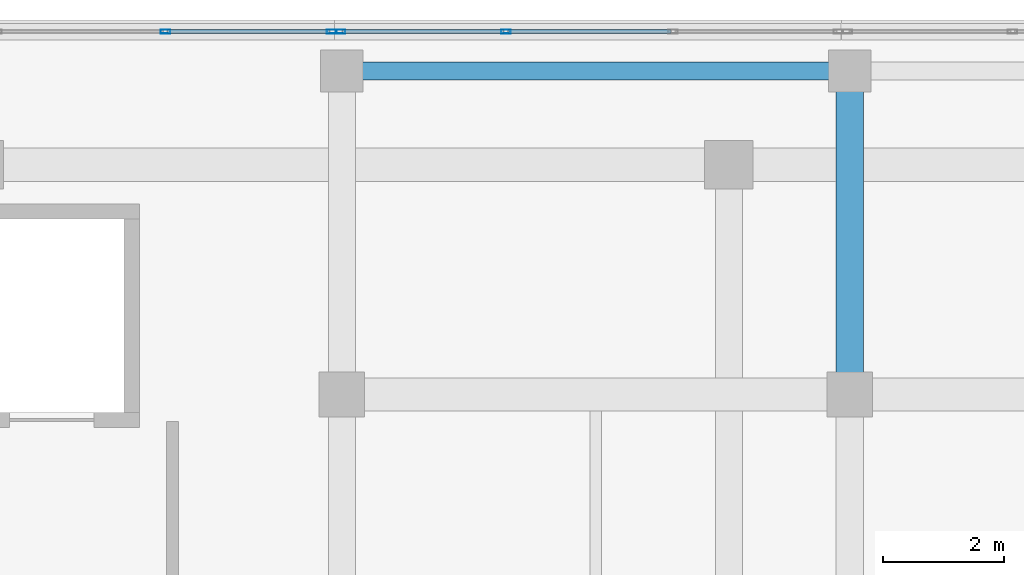
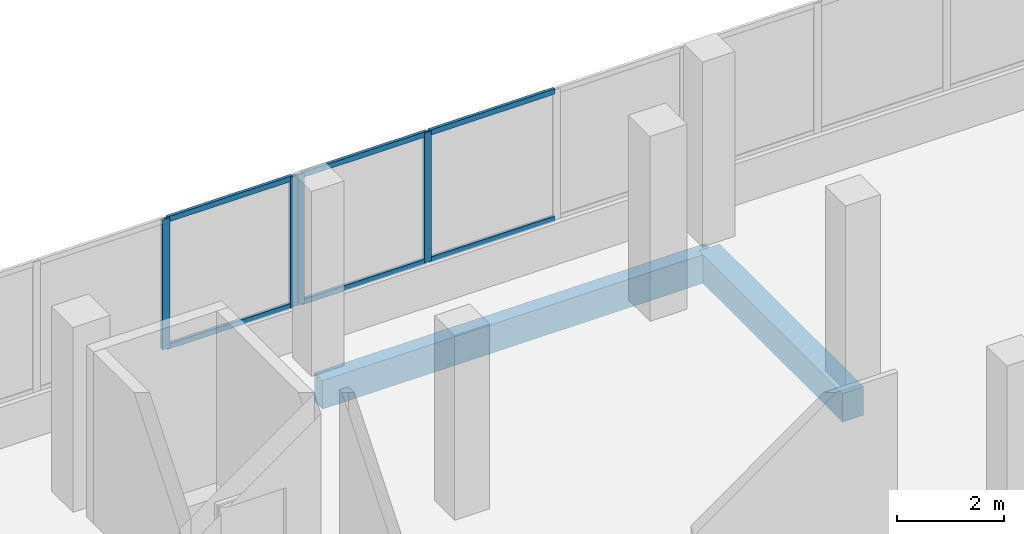
# One storey, part 100 of 184: 10 members, 2 beams, 2 elements without a shape of their own.
"""IFC4 building model written with IfcOpenShell, lengths in metres."""

from ifc_helpers import new_model, si_unit, direction, frame, origin, origin_2d, place, context, subcontext, project, spatial, rectangle, hollow_rectangle, extrude, material, material_profile, profile_set, type_object, element, aggregate, save


model = new_model("IFC4")

# Units and contexts
model_context = context("Model", 3, precision=1e-05, world=origin(), true_north=direction((0.0, 1.0)))
body_context = subcontext(model_context, "Body", "Model", "MODEL_VIEW")
ifc_project = project(units=[si_unit("LENGTHUNIT", "METRE"), si_unit("AREAUNIT", "SQUARE_METRE"), si_unit("VOLUMEUNIT", "CUBIC_METRE"), si_unit("PLANEANGLEUNIT", "RADIAN"), si_unit("MASSUNIT", "GRAM", prefix="KILO")], contexts=[model_context])

# Site, building, storey
site_placement = place(None, origin())
site = spatial("IfcSite", under=ifc_project, at=site_placement, CompositionType="ELEMENT")
building_placement = place(site_placement, origin())
building = spatial("IfcBuilding", under=site, at=building_placement, Name="Selatvlak General Hospital", CompositionType="ELEMENT")
storey_placement = place(building_placement, frame((0.0, 0.0, 15.0)))
storey = spatial("IfcBuildingStorey", under=building, at=storey_placement, Name="L03", CompositionType="ELEMENT", Elevation=15.0)

# Beams
ifc_material_1 = material(Name="Concrete C40/50", Category="concrete")
ifc_material_profile_1 = material_profile(ifc_material_1, rectangle(XDim=0.449951171875, YDim=0.64990234375, at=origin_2d()), Name="RC-BM 450x650")
ifc_profile_set_1 = profile_set([ifc_material_profile_1], Name="Concrete C40/50")
beam_type_1 = type_object("IfcBeamType", Name="BM-G04", PredefinedType="BEAM", material=ifc_profile_set_1)
beam_1_placement = place(storey_placement, frame((73.199951171875, 114.0, -0.6650390625), z_axis=(0.0, 1.0, 0.0), x_axis=(-1.0, 0.0, 0.0)))
element("IfcBeam", 1, at=beam_1_placement, inside=storey, type_object=beam_type_1, Name="Beam BMR-L03-1332", PredefinedType="BEAM", context=body_context, shape_type="SweptSolid", body=[
    extrude(rectangle(XDim=0.449951171875, YDim=0.64990234375, at=origin_2d()), origin(), (0.0, 0.0, 1.0), 5.35009765625),
])
ifc_material_profile_2 = material_profile(ifc_material_1, rectangle(XDim=0.300048828125, YDim=0.64990234375, at=origin_2d()), Name="RC-SP 300x650")
ifc_profile_set_2 = profile_set([ifc_material_profile_2], Name="Concrete C40/50")
beam_type_2 = type_object("IfcBeamType", Name="BM-SP1", PredefinedType="SPANDREL", material=ifc_profile_set_2)
beam_2_placement = place(storey_placement, frame((64.800048828125, 119.35009765625, -0.6650390625), z_axis=(1.0, 0.0, 0.0), x_axis=(0.0, 1.0, 0.0)))
element("IfcBeam", 2, at=beam_2_placement, inside=storey, type_object=beam_type_2, Name="Beam BMR-L03-1279", PredefinedType="SPANDREL", context=body_context, shape_type="SweptSolid", body=[
    extrude(rectangle(XDim=0.300048828125, YDim=0.64990234375, at=origin_2d()), origin(), (0.0, 0.0, 1.0), 8.39990234375),
])

# Curtain wall, members
ifc_material_2 = material(Name="Solar-control Low-E double glazing", Category="glass")
curtain_wall_type_1 = type_object("IfcCurtainWallType", Name="CW-CW-02", PredefinedType="USERDEFINED", material=ifc_material_2)
curtain_wall_1_placement = place(storey_placement, origin())
curtain_wall_1 = element("IfcCurtainWall", 3, at=curtain_wall_1_placement, inside=storey, type_object=curtain_wall_type_1, Name="Glazed facade curtain wall CW-L03-0369", ObjectType="UNITISED CURTAIN WALL", PredefinedType="USERDEFINED")
ifc_material_3 = material(Name="Dark anodised aluminium mullion", Category="aluminium")
ifc_material_profile_3 = material_profile(ifc_material_3, hollow_rectangle(XDim=0.06494140625, YDim=0.159912109375, WallThickness=0.00390625, at=origin_2d()), Name="AL-MUL 65x160x4")
ifc_profile_set_3 = profile_set([ifc_material_profile_3], Name="Dark anodised aluminium mullion")
member_type_1 = type_object("IfcMemberType", Name="CWM-01", PredefinedType="MULLION", material=ifc_profile_set_3)
member_1_placement = place(storey_placement, frame((61.881591796875, 119.9990234375, 0.93994140625), z_axis=(0.0, 0.0, 1.0), x_axis=(0.0, 1.0, 0.0)))
member_1 = element("IfcMember", 4, at=member_1_placement, type_object=member_type_1, Name="CW-02 mullion 3", PredefinedType="MULLION", context=body_context, shape_type="SweptSolid", body=[
    extrude(hollow_rectangle(XDim=0.06494140625, YDim=0.159912109375, WallThickness=0.00390625, at=origin_2d()), origin(), (0.0, 0.0, 1.0), 2.955078125),
])
member_2_placement = place(storey_placement, frame((64.632568359375, 119.9990234375, 0.93994140625), z_axis=(0.0, 0.0, 1.0), x_axis=(0.0, 1.0, 0.0)))
member_2 = element("IfcMember", 5, at=member_2_placement, type_object=member_type_1, Name="CW-02 mullion 4", PredefinedType="MULLION", context=body_context, shape_type="SweptSolid", body=[
    extrude(hollow_rectangle(XDim=0.06494140625, YDim=0.159912109375, WallThickness=0.00390625, at=origin_2d()), origin(), (0.0, 0.0, 1.0), 2.955078125),
])

curtain_wall_type_2 = type_object("IfcCurtainWallType", Name="CW-CW-01", PredefinedType="USERDEFINED", material=ifc_material_2)
curtain_wall_2_placement = place(storey_placement, origin())
curtain_wall_2 = element("IfcCurtainWall", 6, at=curtain_wall_2_placement, inside=storey, type_object=curtain_wall_type_2, Name="Glazed facade curtain wall CW-L03-0370", ObjectType="UNITISED CURTAIN WALL", PredefinedType="USERDEFINED")
member_3_placement = place(storey_placement, frame((64.777587890625, 119.9990234375, 0.93994140625), z_axis=(0.0, 0.0, 1.0), x_axis=(0.0, 1.0, 0.0)))
member_3 = element("IfcMember", 7, at=member_3_placement, type_object=member_type_1, Name="CW-01 mullion 1", PredefinedType="MULLION", context=body_context, shape_type="SweptSolid", body=[
    extrude(hollow_rectangle(XDim=0.06494140625, YDim=0.159912109375, WallThickness=0.00390625, at=origin_2d()), origin(), (0.0, 0.0, 1.0), 2.955078125),
])
member_4_placement = place(storey_placement, frame((67.51171875, 119.9990234375, 0.93994140625), z_axis=(0.0, 0.0, 1.0), x_axis=(0.0, 1.0, 0.0)))
member_4 = element("IfcMember", 8, at=member_4_placement, type_object=member_type_1, Name="CW-01 mullion 2", PredefinedType="MULLION", context=body_context, shape_type="SweptSolid", body=[
    extrude(hollow_rectangle(XDim=0.06494140625, YDim=0.159912109375, WallThickness=0.00390625, at=origin_2d()), origin(), (0.0, 0.0, 1.0), 2.955078125),
])

# Member
ifc_material_profile_4 = material_profile(ifc_material_3, hollow_rectangle(XDim=0.06494140625, YDim=0.1201171875, WallThickness=0.00390625, at=origin_2d()), Name="AL-TRN 65x120x4")
ifc_profile_set_4 = profile_set([ifc_material_profile_4], Name="Dark anodised aluminium mullion")
member_type_2 = type_object("IfcMemberType", Name="CWT-01", PredefinedType="USERDEFINED", material=ifc_profile_set_4)
member_5_placement = place(storey_placement, frame((61.9140625, 119.9990234375, 0.972412109375), z_axis=(1.0, 0.0, 0.0), x_axis=(0.0, 1.0, 0.0)))
member_5 = element("IfcMember", 9, at=member_5_placement, type_object=member_type_2, Name="CW-02 transom 3.1", ObjectType="TRANSOM", PredefinedType="USERDEFINED", context=body_context, shape_type="SweptSolid", body=[
    extrude(hollow_rectangle(XDim=0.06494140625, YDim=0.1201171875, WallThickness=0.00390625, at=origin_2d()), origin(), (0.0, 0.0, 1.0), 2.68603515625),
])

member_6_placement = place(storey_placement, frame((61.9140625, 119.9990234375, 3.862548828125), z_axis=(1.0, 0.0, 0.0), x_axis=(0.0, 1.0, 0.0)))
member_6 = element("IfcMember", 10, at=member_6_placement, type_object=member_type_2, Name="CW-02 transom 3.2", ObjectType="TRANSOM", PredefinedType="USERDEFINED", context=body_context, shape_type="SweptSolid", body=[
    extrude(hollow_rectangle(XDim=0.06494140625, YDim=0.1201171875, WallThickness=0.00390625, at=origin_2d()), origin(), (0.0, 0.0, 1.0), 2.68603515625),
])

aggregate(curtain_wall_1, [member_1, member_2, member_5, member_6])

member_7_placement = place(storey_placement, frame((64.81005859375, 119.9990234375, 0.972412109375), z_axis=(1.0, 0.0, 0.0), x_axis=(0.0, 1.0, 0.0)))
member_7 = element("IfcMember", 11, at=member_7_placement, type_object=member_type_2, Name="CW-01 transom 1.1", ObjectType="TRANSOM", PredefinedType="USERDEFINED", context=body_context, shape_type="SweptSolid", body=[
    extrude(hollow_rectangle(XDim=0.06494140625, YDim=0.1201171875, WallThickness=0.00390625, at=origin_2d()), origin(), (0.0, 0.0, 1.0), 2.669189453125),
])

member_8_placement = place(storey_placement, frame((64.81005859375, 119.9990234375, 3.862548828125), z_axis=(1.0, 0.0, 0.0), x_axis=(0.0, 1.0, 0.0)))
member_8 = element("IfcMember", 12, at=member_8_placement, type_object=member_type_2, Name="CW-01 transom 1.2", ObjectType="TRANSOM", PredefinedType="USERDEFINED", context=body_context, shape_type="SweptSolid", body=[
    extrude(hollow_rectangle(XDim=0.06494140625, YDim=0.1201171875, WallThickness=0.00390625, at=origin_2d()), origin(), (0.0, 0.0, 1.0), 2.669189453125),
])

member_9_placement = place(storey_placement, frame((67.544189453125, 119.9990234375, 0.972412109375), z_axis=(1.0, 0.0, 0.0), x_axis=(0.0, 1.0, 0.0)))
member_9 = element("IfcMember", 13, at=member_9_placement, type_object=member_type_2, Name="CW-01 transom 2.1", ObjectType="TRANSOM", PredefinedType="USERDEFINED", context=body_context, shape_type="SweptSolid", body=[
    extrude(hollow_rectangle(XDim=0.06494140625, YDim=0.1201171875, WallThickness=0.00390625, at=origin_2d()), origin(), (0.0, 0.0, 1.0), 2.70166015625),
])

member_10_placement = place(storey_placement, frame((67.544189453125, 119.9990234375, 3.862548828125), z_axis=(1.0, 0.0, 0.0), x_axis=(0.0, 1.0, 0.0)))
member_10 = element("IfcMember", 14, at=member_10_placement, type_object=member_type_2, Name="CW-01 transom 2.2", ObjectType="TRANSOM", PredefinedType="USERDEFINED", context=body_context, shape_type="SweptSolid", body=[
    extrude(hollow_rectangle(XDim=0.06494140625, YDim=0.1201171875, WallThickness=0.00390625, at=origin_2d()), origin(), (0.0, 0.0, 1.0), 2.70166015625),
])

aggregate(curtain_wall_2, [member_3, member_4, member_7, member_8, member_9, member_10])

save(model, "model.ifc")
